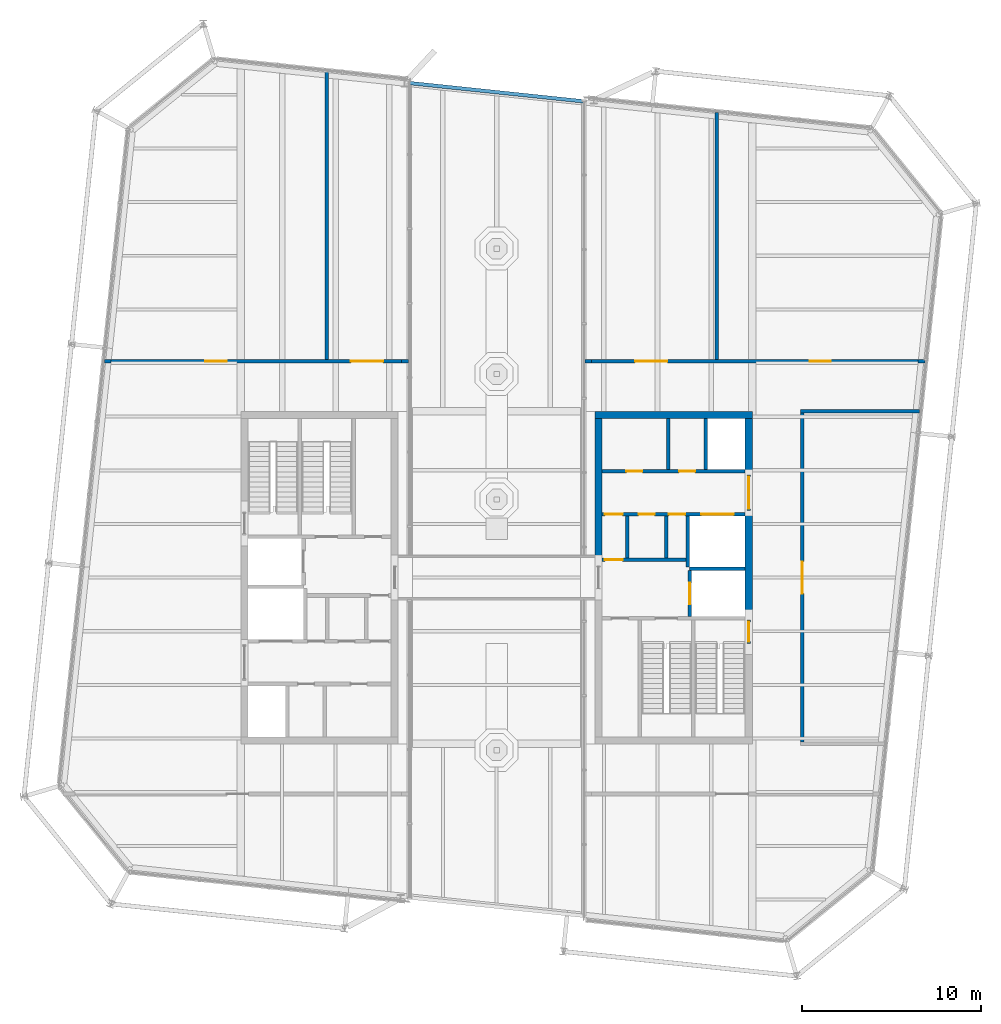
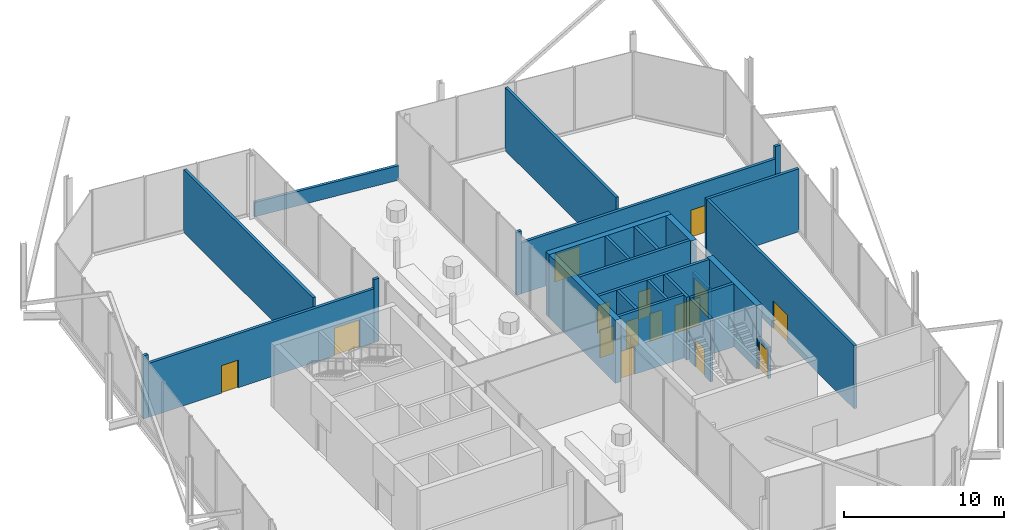
# One storey, part 11 of 14: 27 walls, 15 doors, 15 openings.
"""IFC4 building model written with IfcOpenShell, lengths in metres."""

from ifc_helpers import new_model, si_unit, direction, frame, frame_2d, origin, place, context, subcontext, project, spatial, rectangle, extrude, material, layer, layer_set, type_object, element, fill, save


model = new_model("IFC4")

# Units and contexts
model_context = context("Model", 3, precision=1e-05, world=origin(), true_north=direction((0.0, 1.0)))
body_context = subcontext(model_context, "Body", "Model", "MODEL_VIEW")
ifc_project = project(units=[si_unit("LENGTHUNIT", "METRE"), si_unit("AREAUNIT", "SQUARE_METRE"), si_unit("VOLUMEUNIT", "CUBIC_METRE"), si_unit("PLANEANGLEUNIT", "RADIAN"), si_unit("MASSUNIT", "GRAM", prefix="KILO")], contexts=[model_context])

# Site, building, storey
site_placement = place(None, origin())
site = spatial("IfcSite", under=ifc_project, at=site_placement, CompositionType="ELEMENT")
building_placement = place(site_placement, origin())
building = spatial("IfcBuilding", under=site, at=building_placement, Name="Millrace Tower", CompositionType="ELEMENT")
storey_placement = place(building_placement, frame((0.0, 0.0, 342.10009765625)))
storey = spatial("IfcBuildingStorey", under=building, at=storey_placement, Name="L79", CompositionType="ELEMENT", Elevation=342.10009765625)

# Walls
ifc_material_1 = material(Name="Concrete C60", Category="concrete")
ifc_layer_1 = layer(ifc_material_1, 0.39990234375)
ifc_layer_set_1 = layer_set([ifc_layer_1], Name="Concrete C60")
wall_type_1 = type_object("IfcWallType", Name="Core wall 400 Concrete C60", PredefinedType="SHEAR", material=ifc_layer_set_1)
wall_1_placement = place(storey_placement, frame((14.300048828125, 9.10009765625, 0.0), z_axis=(0.0, 0.0, 1.0), x_axis=(-1.0, 0.0, 0.0)))
element("IfcWall", 1, at=wall_1_placement, inside=storey, type_object=wall_type_1, Name="Core wall E L79", PredefinedType="SHEAR", context=body_context, shape_type="SweptSolid", body=[
    extrude(rectangle(XDim=8.800048828125, YDim=0.39990234375, at=frame_2d((4.39990234375, 0.0))), origin(), (0.0, 0.0, 1.0), 4.7998046875),
])
wall_2_placement = place(storey_placement, frame((14.10009765625, 8.89990234375, 0.0), z_axis=(0.0, 0.0, 1.0), x_axis=(0.0, -1.0, 0.0)))
element("IfcWall", 2, at=wall_2_placement, inside=storey, type_object=wall_type_1, Name="Core wall E L79", PredefinedType="SHEAR", context=body_context, shape_type="SweptSolid", body=[
    extrude(rectangle(XDim=3.14990234375, YDim=0.39990234375, at=frame_2d((1.574951171875, 0.0))), origin(), (0.0, 0.0, 1.0), 4.7998046875),
])
wall_3_placement = place(storey_placement, frame((14.10009765625, 3.75, 0.0), z_axis=(0.0, 0.0, 1.0), x_axis=(0.0, -1.0, 0.0)))
element("IfcWall", 3, at=wall_3_placement, inside=storey, type_object=wall_type_1, Name="Core wall E L79", PredefinedType="SHEAR", context=body_context, shape_type="SweptSolid", body=[
    extrude(rectangle(XDim=6.1298828125, YDim=0.39990234375, at=frame_2d((3.06494140625, 0.0))), origin(), (0.0, 0.0, 1.0), 4.7998046875),
])
wall_4_placement = place(storey_placement, frame((5.699951171875, 8.89990234375, 0.0), z_axis=(0.0, 0.0, 1.0), x_axis=(0.0, -1.0, 0.0)))
element("IfcWall", 4, at=wall_4_placement, inside=storey, type_object=wall_type_1, Name="Core wall E L79", PredefinedType="SHEAR", context=body_context, shape_type="SweptSolid", body=[
    extrude(rectangle(XDim=8.25, YDim=0.39990234375, at=frame_2d((4.125, 0.0))), origin(), (0.0, 0.0, 1.0), 4.7998046875),
])
ifc_material_2 = material(Name="Masonry partition, fire-rated", Category="masonry")
ifc_layer_2 = layer(ifc_material_2, 0.199951171875)
ifc_layer_set_2 = layer_set([ifc_layer_2], Name="Masonry partition, fire-rated")
wall_type_2 = type_object("IfcWallType", Name="Corridor wall 200", PredefinedType="PARTITIONING", material=ifc_layer_set_2)
wall_5_placement = place(storey_placement, frame((17.0, 9.300048828125, 0.0), z_axis=(0.0, 0.0, 1.0), x_axis=(1.0, 0.0, 0.0)))
element("IfcWall", 5, at=wall_5_placement, inside=storey, type_object=wall_type_2, Name="Corridor wall L79", PredefinedType="PARTITIONING", context=body_context, shape_type="SweptSolid", body=[
    extrude(rectangle(XDim=6.656005859375, YDim=0.199951171875, at=frame_2d((3.328125, 0.0))), origin(), (0.0, 0.0, 1.0), 4.7998046875),
])
wall_6_placement = place(storey_placement, frame((-21.921142578125, 12.10009765625, 0.0), z_axis=(0.0, 0.0, 1.0), x_axis=(1.0, 0.0, 0.0)))
element("IfcWall", 6, at=wall_6_placement, inside=storey, type_object=wall_type_2, Name="Corridor wall L79", PredefinedType="PARTITIONING", context=body_context, shape_type="SweptSolid", body=[
    extrude(rectangle(XDim=0.35888671875, YDim=0.199951171875, at=frame_2d((0.179443359375, 0.0))), origin(), (0.0, 0.0, 1.0), 4.7998046875),
])

# Wall, openings, doors
wall_7_placement = place(storey_placement, frame((-21.562255859375, 12.10009765625, 0.0), z_axis=(0.0, 0.0, 1.0), x_axis=(1.0, 0.0, 0.0)))
wall_7 = element("IfcWall", 7, at=wall_7_placement, inside=storey, type_object=wall_type_2, Name="Corridor wall L79", PredefinedType="PARTITIONING", context=body_context, shape_type="SweptSolid", body=[
    extrude(rectangle(XDim=16.2548828125, YDim=0.199951171875, at=frame_2d((8.12744140625, 0.0))), origin(), (0.0, 0.0, 1.0), 4.1064453125),
])
opening_1_placement = place(wall_7_placement, frame((5.27685546875, 0.0, 0.0)))
opening_1 = element("IfcOpeningElement", 8, at=opening_1_placement, cuts=wall_7, Name="Opening 79-P001", PredefinedType="OPENING", context=body_context, shape_type="SweptSolid", body=[
    extrude(rectangle(XDim=1.199951171875, YDim=2.10009765625, at=frame_2d((0.60009765625, 1.050048828125))), frame((0.0, 0.10986328125, 0.0), z_axis=(0.0, -1.0, 0.0), x_axis=(1.0, 0.0, 0.0)), (0.0, 0.0, 1.0), 0.219970703125),
])
opening_2_placement = place(wall_7_placement, frame((13.417236328125, 0.0, 0.0)))
opening_2 = element("IfcOpeningElement", 9, at=opening_2_placement, cuts=wall_7, Name="Opening 79-P002", PredefinedType="OPENING", context=body_context, shape_type="SweptSolid", body=[
    extrude(rectangle(XDim=1.800048828125, YDim=2.10009765625, at=frame_2d((0.89990234375, 1.050048828125))), frame((0.0, 0.10986328125, 0.0), z_axis=(0.0, -1.0, 0.0), x_axis=(1.0, 0.0, 0.0)), (0.0, 0.0, 1.0), 0.219970703125),
])
ifc_material_3 = material(Name="Steel door set, fire-rated", Category="steel")
door_type_1 = type_object("IfcDoorType", Name="Corridor door 1800 x 2100", OperationType="DOUBLE_DOOR_SINGLE_SWING", PredefinedType="DOOR", material=ifc_material_3)
door_1_placement = place(opening_2_placement, origin())
door_1 = element("IfcDoor", 10, at=door_1_placement, inside=storey, type_object=door_type_1, Name="Door 79-P002", OperationType="DOUBLE_DOOR_SINGLE_SWING", OverallHeight=2.10009765625, OverallWidth=1.800048828125, PredefinedType="DOOR", context=body_context, shape_type="SweptSolid", body=[
    extrude(rectangle(XDim=1.800048828125, YDim=2.10009765625, at=frame_2d((0.89990234375, 1.050048828125))), frame((0.0, 0.02490234375, 0.0), z_axis=(0.0, -1.0, 0.0), x_axis=(1.0, 0.0, 0.0)), (0.0, 0.0, 1.0), 0.050048828125),
])
fill(opening_2, door_1)
ifc_material_4 = material(Name="Steel door set, fire-rated", Category="steel")
door_type_2 = type_object("IfcDoorType", Name="Plant room door 1200 x 2100", OperationType="SINGLE_SWING_LEFT", PredefinedType="DOOR", material=ifc_material_4)
door_2_placement = place(opening_1_placement, origin())
door_2 = element("IfcDoor", 11, at=door_2_placement, inside=storey, type_object=door_type_2, Name="Door 79-P001", OperationType="SINGLE_SWING_LEFT", OverallHeight=2.10009765625, OverallWidth=1.199951171875, PredefinedType="DOOR", context=body_context, shape_type="SweptSolid", body=[
    extrude(rectangle(XDim=1.199951171875, YDim=2.10009765625, at=frame_2d((0.60009765625, 1.050048828125))), frame((0.0, 0.02490234375, 0.0), z_axis=(0.0, -1.0, 0.0), x_axis=(1.0, 0.0, 0.0)), (0.0, 0.0, 1.0), 0.050048828125),
])
fill(opening_1, door_2)

# Walls
for number, where, z_axis, x_axis, name in (
    (12, (-5.307373046875, 12.10009765625, 0.0), (0.0, 0.0, 1.0), (1.0, 0.0, 0.0), "Corridor wall L79"),
    (13, (4.93994140625, 12.10009765625, 0.0), (0.0, 0.0, 1.0), (1.0, 0.0, 0.0), "Corridor wall L79"),
):
    element("IfcWall", number, at=place(storey_placement, frame(where, z_axis=z_axis, x_axis=x_axis)), inside=storey, type_object=wall_type_2, Name=name, PredefinedType="PARTITIONING", context=body_context, shape_type="SweptSolid", body=[
        extrude(rectangle(XDim=0.367431640625, YDim=0.199951171875, at=frame_2d((0.18359375, 0.0))), origin(), (0.0, 0.0, 1.0), 4.7998046875),
    ])

# Wall, openings, doors
wall_8_placement = place(storey_placement, frame((5.307373046875, 12.10009765625, 0.0), z_axis=(0.0, 0.0, 1.0), x_axis=(1.0, 0.0, 0.0)))
wall_8 = element("IfcWall", 14, at=wall_8_placement, inside=storey, type_object=wall_type_2, Name="Corridor wall L79", PredefinedType="PARTITIONING", context=body_context, shape_type="SweptSolid", body=[
    extrude(rectangle(XDim=18.262939453125, YDim=0.199951171875, at=frame_2d((9.13134765625, 0.0))), origin(), (0.0, 0.0, 1.0), 3.872802734375),
])
opening_3_placement = place(wall_8_placement, frame((2.437744140625, 0.0, 0.0)))
opening_3 = element("IfcOpeningElement", 15, at=opening_3_placement, cuts=wall_8, Name="Opening 79-P004", PredefinedType="OPENING", context=body_context, shape_type="SweptSolid", body=[
    extrude(rectangle(XDim=1.800048828125, YDim=2.10009765625, at=frame_2d((0.89990234375, 1.050048828125))), frame((0.0, 0.10986328125, 0.0), z_axis=(0.0, -1.0, 0.0), x_axis=(1.0, 0.0, 0.0)), (0.0, 0.0, 1.0), 0.219970703125),
])
opening_4_placement = place(wall_8_placement, frame((12.192626953125, 0.0, 0.0)))
opening_4 = element("IfcOpeningElement", 16, at=opening_4_placement, cuts=wall_8, Name="Opening 79-P005", PredefinedType="OPENING", context=body_context, shape_type="SweptSolid", body=[
    extrude(rectangle(XDim=1.199951171875, YDim=2.10009765625, at=frame_2d((0.60009765625, 1.050048828125))), frame((0.0, 0.10986328125, 0.0), z_axis=(0.0, -1.0, 0.0), x_axis=(1.0, 0.0, 0.0)), (0.0, 0.0, 1.0), 0.219970703125),
])
door_3_placement = place(opening_4_placement, origin())
door_3 = element("IfcDoor", 17, at=door_3_placement, inside=storey, type_object=door_type_2, Name="Door 79-P005", OperationType="SINGLE_SWING_RIGHT", OverallHeight=2.10009765625, OverallWidth=1.199951171875, PredefinedType="DOOR", context=body_context, shape_type="SweptSolid", body=[
    extrude(rectangle(XDim=1.199951171875, YDim=2.10009765625, at=frame_2d((0.60009765625, 1.050048828125))), frame((0.0, 0.02490234375, 0.0), z_axis=(0.0, -1.0, 0.0), x_axis=(1.0, 0.0, 0.0)), (0.0, 0.0, 1.0), 0.050048828125),
])
fill(opening_4, door_3)
ifc_material_5 = material(Name="Steel door set, fire-rated", Category="steel")
door_type_3 = type_object("IfcDoorType", Name="Plant room door 1800 x 2100", OperationType="DOUBLE_DOOR_SINGLE_SWING", PredefinedType="DOOR", material=ifc_material_5)
door_4_placement = place(opening_3_placement, origin())
door_4 = element("IfcDoor", 18, at=door_4_placement, inside=storey, type_object=door_type_3, Name="Door 79-P004", OperationType="DOUBLE_DOOR_SINGLE_SWING", OverallHeight=2.10009765625, OverallWidth=1.800048828125, PredefinedType="DOOR", context=body_context, shape_type="SweptSolid", body=[
    extrude(rectangle(XDim=1.800048828125, YDim=2.10009765625, at=frame_2d((0.89990234375, 1.050048828125))), frame((0.0, 0.02490234375, 0.0), z_axis=(0.0, -1.0, 0.0), x_axis=(1.0, 0.0, 0.0)), (0.0, 0.0, 1.0), 0.050048828125),
])
fill(opening_3, door_4)

# Wall
wall_9_placement = place(storey_placement, frame((23.5703125, 12.10009765625, 0.0), z_axis=(0.0, 0.0, 1.0), x_axis=(1.0, 0.0, 0.0)))
element("IfcWall", 19, at=wall_9_placement, inside=storey, type_object=wall_type_2, Name="Corridor wall L79", PredefinedType="PARTITIONING", context=body_context, shape_type="SweptSolid", body=[
    extrude(rectangle(XDim=0.3798828125, YDim=0.199951171875, at=frame_2d((0.18994140625, 0.0))), origin(), (0.0, 0.0, 1.0), 4.7998046875),
])

# Wall, opening, door
wall_10_placement = place(storey_placement, frame((17.10009765625, -9.199951171875, 0.0), z_axis=(0.0, 0.0, 1.0), x_axis=(0.0, 1.0, 0.0)))
wall_10 = element("IfcWall", 20, at=wall_10_placement, inside=storey, type_object=wall_type_2, Name="Corridor wall L79", PredefinedType="PARTITIONING", context=body_context, shape_type="SweptSolid", body=[
    extrude(rectangle(XDim=18.39990234375, YDim=0.199951171875, at=frame_2d((9.199951171875, 0.0))), origin(), (0.0, 0.0, 1.0), 4.7998046875),
])
opening_5_placement = place(wall_10_placement, frame((8.300048828125, 0.0, 0.0)))
opening_5 = element("IfcOpeningElement", 21, at=opening_5_placement, cuts=wall_10, Name="Opening 79-P006", PredefinedType="OPENING", context=body_context, shape_type="SweptSolid", body=[
    extrude(rectangle(XDim=1.800048828125, YDim=2.10009765625, at=frame_2d((0.89990234375, 1.050048828125))), frame((0.0, 0.10986328125, 0.0), z_axis=(0.0, -1.0, 0.0), x_axis=(1.0, 0.0, 0.0)), (0.0, 0.0, 1.0), 0.219970703125),
])
door_5_placement = place(opening_5_placement, frame((1.800048828125, 0.0, 0.0), z_axis=(0.0, 0.0, 1.0), x_axis=(-1.0, 0.0, 0.0)))
door_5 = element("IfcDoor", 22, at=door_5_placement, inside=storey, type_object=door_type_3, Name="Door 79-P006", OperationType="DOUBLE_DOOR_SINGLE_SWING", OverallHeight=2.10009765625, OverallWidth=1.800048828125, PredefinedType="DOOR", context=body_context, shape_type="SweptSolid", body=[
    extrude(rectangle(XDim=1.800048828125, YDim=2.10009765625, at=frame_2d((0.89990234375, 1.050048828125))), frame((0.0, 0.02490234375, 0.0), z_axis=(0.0, -1.0, 0.0), x_axis=(1.0, 0.0, 0.0)), (0.0, 0.0, 1.0), 0.050048828125),
])
fill(opening_5, door_5)

# Walls
wall_11_placement = place(storey_placement, frame((12.300048828125, 12.199951171875, 0.0), z_axis=(0.0, 0.0, 1.0), x_axis=(0.0, 1.0, 0.0)))
element("IfcWall", 23, at=wall_11_placement, inside=storey, type_object=wall_type_2, Name="Corridor wall L79", PredefinedType="PARTITIONING", context=body_context, shape_type="SweptSolid", body=[
    extrude(rectangle(XDim=13.81396484375, YDim=0.199951171875, at=frame_2d((6.906982421875, 0.0))), origin(), (0.0, 0.0, 1.0), 4.7998046875),
])
wall_12_placement = place(storey_placement, frame((-9.5, 12.199951171875, 0.0), z_axis=(0.0, 0.0, 1.0), x_axis=(0.0, 1.0, 0.0)))
element("IfcWall", 24, at=wall_12_placement, inside=storey, type_object=wall_type_2, Name="Corridor wall L79", PredefinedType="PARTITIONING", context=body_context, shape_type="SweptSolid", body=[
    extrude(rectangle(XDim=16.105224609375, YDim=0.199951171875, at=frame_2d((8.052734375, 0.0))), origin(), (0.0, 0.0, 1.0), 4.7998046875),
])

# Wall, openings, doors
ifc_material_6 = material(Name="Masonry partition, fire-rated", Category="masonry")
ifc_layer_3 = layer(ifc_material_6, 0.199951171875)
ifc_layer_set_3 = layer_set([ifc_layer_3], Name="Masonry partition, fire-rated")
wall_type_3 = type_object("IfcWallType", Name="Lift shaft wall 200", PredefinedType="PARTITIONING", material=ifc_layer_set_3)
wall_13_placement = place(storey_placement, frame((13.89990234375, 5.949951171875, 0.0), z_axis=(0.0, 0.0, 1.0), x_axis=(-1.0, 0.0, 0.0)))
wall_13 = element("IfcWall", 25, at=wall_13_placement, inside=storey, type_object=wall_type_3, Name="Lift shaft wall E L79", PredefinedType="PARTITIONING", context=body_context, shape_type="SweptSolid", body=[
    extrude(rectangle(XDim=8.0, YDim=0.199951171875, at=frame_2d((4.0, 0.0))), origin(), (0.0, 0.0, 1.0), 4.7998046875),
])
opening_6_placement = place(wall_13_placement, frame((2.797607421875, 0.0, 0.0)))
opening_6 = element("IfcOpeningElement", 26, at=opening_6_placement, cuts=wall_13, Name="Opening 79-C015", PredefinedType="OPENING", context=body_context, shape_type="SweptSolid", body=[
    extrude(rectangle(XDim=0.89990234375, YDim=2.10009765625, at=frame_2d((0.449951171875, 1.050048828125))), frame((0.0, 0.10986328125, 0.0), z_axis=(0.0, -1.0, 0.0), x_axis=(1.0, 0.0, 0.0)), (0.0, 0.0, 1.0), 0.219970703125),
])
opening_7_placement = place(wall_13_placement, frame((5.74755859375, 0.0, 0.0)))
opening_7 = element("IfcOpeningElement", 27, at=opening_7_placement, cuts=wall_13, Name="Opening 79-C016", PredefinedType="OPENING", context=body_context, shape_type="SweptSolid", body=[
    extrude(rectangle(XDim=0.89990234375, YDim=2.10009765625, at=frame_2d((0.449951171875, 1.050048828125))), frame((0.0, 0.10986328125, 0.0), z_axis=(0.0, -1.0, 0.0), x_axis=(1.0, 0.0, 0.0)), (0.0, 0.0, 1.0), 0.219970703125),
])
ifc_material_7 = material(Name="Steel door, fire-rated", Category="steel")
door_type_4 = type_object("IfcDoorType", Name="Service room door 900 x 2100", OperationType="SINGLE_SWING_LEFT", PredefinedType="DOOR", material=ifc_material_7)
door_6_placement = place(opening_6_placement, frame((0.89990234375, 0.0, 0.0), z_axis=(0.0, 0.0, 1.0), x_axis=(-1.0, 0.0, 0.0)))
door_6 = element("IfcDoor", 28, at=door_6_placement, inside=storey, type_object=door_type_4, Name="Service room door 79-C015", OperationType="SINGLE_SWING_RIGHT", OverallHeight=2.10009765625, OverallWidth=0.89990234375, PredefinedType="DOOR", context=body_context, shape_type="SweptSolid", body=[
    extrude(rectangle(XDim=0.89990234375, YDim=2.10009765625, at=frame_2d((0.449951171875, 1.050048828125))), frame((0.0, 0.02490234375, 0.0), z_axis=(0.0, -1.0, 0.0), x_axis=(1.0, 0.0, 0.0)), (0.0, 0.0, 1.0), 0.050048828125),
])
fill(opening_6, door_6)
door_7_placement = place(opening_7_placement, frame((0.89990234375, 0.0, 0.0), z_axis=(0.0, 0.0, 1.0), x_axis=(-1.0, 0.0, 0.0)))
door_7 = element("IfcDoor", 29, at=door_7_placement, inside=storey, type_object=door_type_4, Name="Service room door 79-C016", OperationType="SINGLE_SWING_LEFT", OverallHeight=2.10009765625, OverallWidth=0.89990234375, PredefinedType="DOOR", context=body_context, shape_type="SweptSolid", body=[
    extrude(rectangle(XDim=0.89990234375, YDim=2.10009765625, at=frame_2d((0.449951171875, 1.050048828125))), frame((0.0, 0.02490234375, 0.0), z_axis=(0.0, -1.0, 0.0), x_axis=(1.0, 0.0, 0.0)), (0.0, 0.0, 1.0), 0.050048828125),
])
fill(opening_7, door_7)

wall_14_placement = place(storey_placement, frame((13.89990234375, 3.550048828125, 0.0), z_axis=(0.0, 0.0, 1.0), x_axis=(-1.0, 0.0, 0.0)))
wall_14 = element("IfcWall", 30, at=wall_14_placement, inside=storey, type_object=wall_type_3, Name="Lift shaft wall E L79", PredefinedType="PARTITIONING", context=body_context, shape_type="SweptSolid", body=[
    extrude(rectangle(XDim=8.0, YDim=0.199951171875, at=frame_2d((4.0, 0.0))), origin(), (0.0, 0.0, 1.0), 4.7998046875),
])
opening_8_placement = place(wall_14_placement, frame((0.64990234375, 0.0, 0.0)))
opening_8 = element("IfcOpeningElement", 31, at=opening_8_placement, cuts=wall_14, Name="Opening 79-LD13", PredefinedType="OPENING", context=body_context, shape_type="SweptSolid", body=[
    extrude(rectangle(XDim=1.800048828125, YDim=2.10009765625, at=frame_2d((0.89990234375, 1.050048828125))), frame((0.0, 0.10986328125, 0.0), z_axis=(0.0, -1.0, 0.0), x_axis=(1.0, 0.0, 0.0)), (0.0, 0.0, 1.0), 0.219970703125),
])
opening_9_placement = place(wall_14_placement, frame((3.360107421875, 0.0, 0.0)))
opening_9 = element("IfcOpeningElement", 32, at=opening_9_placement, cuts=wall_14, Name="Opening 79-C017", PredefinedType="OPENING", context=body_context, shape_type="SweptSolid", body=[
    extrude(rectangle(XDim=0.89990234375, YDim=2.10009765625, at=frame_2d((0.449951171875, 1.050048828125))), frame((0.0, 0.10986328125, 0.0), z_axis=(0.0, -1.0, 0.0), x_axis=(1.0, 0.0, 0.0)), (0.0, 0.0, 1.0), 0.219970703125),
])
opening_10_placement = place(wall_14_placement, frame((5.06005859375, 0.0, 0.0)))
opening_10 = element("IfcOpeningElement", 33, at=opening_10_placement, cuts=wall_14, Name="Opening 79-C018", PredefinedType="OPENING", context=body_context, shape_type="SweptSolid", body=[
    extrude(rectangle(XDim=0.89990234375, YDim=2.10009765625, at=frame_2d((0.449951171875, 1.050048828125))), frame((0.0, 0.10986328125, 0.0), z_axis=(0.0, -1.0, 0.0), x_axis=(1.0, 0.0, 0.0)), (0.0, 0.0, 1.0), 0.219970703125),
])
opening_11_placement = place(wall_14_placement, frame((6.85009765625, 0.0, 0.0)))
opening_11 = element("IfcOpeningElement", 34, at=opening_11_placement, cuts=wall_14, Name="Opening 79-C019", PredefinedType="OPENING", context=body_context, shape_type="SweptSolid", body=[
    extrude(rectangle(XDim=1.0, YDim=2.10009765625, at=frame_2d((0.5, 1.050048828125))), frame((0.0, 0.10986328125, 0.0), z_axis=(0.0, -1.0, 0.0), x_axis=(1.0, 0.0, 0.0)), (0.0, 0.0, 1.0), 0.219970703125),
])
ifc_material_8 = material(Name="Stainless steel, fire-rated", Category="steel")
door_type_5 = type_object("IfcDoorType", Name="Lift landing door 1800 x 2100", OperationType="DOUBLE_DOOR_SLIDING", PredefinedType="DOOR", material=ifc_material_8)
door_8_placement = place(opening_8_placement, origin())
door_8 = element("IfcDoor", 35, at=door_8_placement, inside=storey, type_object=door_type_5, Name="Lift landing door LF13 L79", OperationType="DOUBLE_DOOR_SLIDING", OverallHeight=2.10009765625, OverallWidth=1.800048828125, PredefinedType="DOOR", context=body_context, shape_type="SweptSolid", body=[
    extrude(rectangle(XDim=1.800048828125, YDim=2.10009765625, at=frame_2d((0.89990234375, 1.050048828125))), frame((0.0, 0.02490234375, 0.0), z_axis=(0.0, -1.0, 0.0), x_axis=(1.0, 0.0, 0.0)), (0.0, 0.0, 1.0), 0.050048828125),
])
fill(opening_8, door_8)
ifc_material_9 = material(Name="Steel door, fire-rated", Category="steel")
door_type_6 = type_object("IfcDoorType", Name="Lobby door 1000 x 2100", OperationType="SINGLE_SWING_LEFT", PredefinedType="DOOR", material=ifc_material_9)
door_9_placement = place(opening_11_placement, origin())
door_9 = element("IfcDoor", 36, at=door_9_placement, inside=storey, type_object=door_type_6, Name="Lobby door 79-C019", OperationType="SINGLE_SWING_LEFT", OverallHeight=2.10009765625, OverallWidth=1.0, PredefinedType="DOOR", context=body_context, shape_type="SweptSolid", body=[
    extrude(rectangle(XDim=1.0, YDim=2.10009765625, at=frame_2d((0.5, 1.050048828125))), frame((0.0, 0.02490234375, 0.0), z_axis=(0.0, -1.0, 0.0), x_axis=(1.0, 0.0, 0.0)), (0.0, 0.0, 1.0), 0.050048828125),
])
fill(opening_11, door_9)
door_10_placement = place(opening_9_placement, origin())
door_10 = element("IfcDoor", 37, at=door_10_placement, inside=storey, type_object=door_type_4, Name="Service room door 79-C017", OperationType="SINGLE_SWING_LEFT", OverallHeight=2.10009765625, OverallWidth=0.89990234375, PredefinedType="DOOR", context=body_context, shape_type="SweptSolid", body=[
    extrude(rectangle(XDim=0.89990234375, YDim=2.10009765625, at=frame_2d((0.449951171875, 1.050048828125))), frame((0.0, 0.02490234375, 0.0), z_axis=(0.0, -1.0, 0.0), x_axis=(1.0, 0.0, 0.0)), (0.0, 0.0, 1.0), 0.050048828125),
])
fill(opening_9, door_10)
door_11_placement = place(opening_10_placement, origin())
door_11 = element("IfcDoor", 38, at=door_11_placement, inside=storey, type_object=door_type_4, Name="Service room door 79-C018", OperationType="SINGLE_SWING_RIGHT", OverallHeight=2.10009765625, OverallWidth=0.89990234375, PredefinedType="DOOR", context=body_context, shape_type="SweptSolid", body=[
    extrude(rectangle(XDim=0.89990234375, YDim=2.10009765625, at=frame_2d((0.449951171875, 1.050048828125))), frame((0.0, 0.02490234375, 0.0), z_axis=(0.0, -1.0, 0.0), x_axis=(1.0, 0.0, 0.0)), (0.0, 0.0, 1.0), 0.050048828125),
])
fill(opening_10, door_11)

# Wall
wall_15_placement = place(storey_placement, frame((13.89990234375, 0.5, 0.0), z_axis=(0.0, 0.0, 1.0), x_axis=(-1.0, 0.0, 0.0)))
element("IfcWall", 39, at=wall_15_placement, inside=storey, type_object=wall_type_3, Name="Lift shaft wall E L79", PredefinedType="PARTITIONING", context=body_context, shape_type="SweptSolid", body=[
    extrude(rectangle(XDim=3.099853515625, YDim=0.199951171875, at=frame_2d((1.5498046875, 0.0))), origin(), (0.0, 0.0, 1.0), 4.7998046875),
])

# Wall, opening, door
wall_16_placement = place(storey_placement, frame((10.800048828125, 1.0, 0.0), z_axis=(0.0, 0.0, 1.0), x_axis=(-1.0, 0.0, 0.0)))
wall_16 = element("IfcWall", 40, at=wall_16_placement, inside=storey, type_object=wall_type_3, Name="Lift shaft wall E L79", PredefinedType="PARTITIONING", context=body_context, shape_type="SweptSolid", body=[
    extrude(rectangle(XDim=4.900146484375, YDim=0.199951171875, at=frame_2d((2.4501953125, 0.0))), origin(), (0.0, 0.0, 1.0), 4.7998046875),
])
opening_12_placement = place(wall_16_placement, frame((3.75, 0.0, 0.0)))
opening_12 = element("IfcOpeningElement", 41, at=opening_12_placement, cuts=wall_16, Name="Opening 79-C020", PredefinedType="OPENING", context=body_context, shape_type="SweptSolid", body=[
    extrude(rectangle(XDim=1.0, YDim=2.10009765625, at=frame_2d((0.5, 1.050048828125))), frame((0.0, 0.10986328125, 0.0), z_axis=(0.0, -1.0, 0.0), x_axis=(1.0, 0.0, 0.0)), (0.0, 0.0, 1.0), 0.219970703125),
])
door_12_placement = place(opening_12_placement, origin())
door_12 = element("IfcDoor", 42, at=door_12_placement, inside=storey, type_object=door_type_6, Name="Lobby door 79-C020", OperationType="SINGLE_SWING_LEFT", OverallHeight=2.10009765625, OverallWidth=1.0, PredefinedType="DOOR", context=body_context, shape_type="SweptSolid", body=[
    extrude(rectangle(XDim=1.0, YDim=2.10009765625, at=frame_2d((0.5, 1.050048828125))), frame((0.0, 0.02490234375, 0.0), z_axis=(0.0, -1.0, 0.0), x_axis=(1.0, 0.0, 0.0)), (0.0, 0.0, 1.0), 0.050048828125),
])
fill(opening_12, door_12)

wall_17_placement = place(storey_placement, frame((10.800048828125, 0.39990234375, 0.0), z_axis=(0.0, 0.0, 1.0), x_axis=(0.0, -1.0, 0.0)))
wall_17 = element("IfcWall", 43, at=wall_17_placement, inside=storey, type_object=wall_type_3, Name="Lift shaft wall E L79", PredefinedType="PARTITIONING", context=body_context, shape_type="SweptSolid", body=[
    extrude(rectangle(XDim=2.579833984375, YDim=0.199951171875, at=frame_2d((1.2900390625, 0.0))), origin(), (0.0, 0.0, 1.0), 4.7998046875),
])
opening_13_placement = place(wall_17_placement, frame((0.68994140625, 0.0, 0.0)))
opening_13 = element("IfcOpeningElement", 44, at=opening_13_placement, cuts=wall_17, Name="Opening 79-LD16", PredefinedType="OPENING", context=body_context, shape_type="SweptSolid", body=[
    extrude(rectangle(XDim=1.199951171875, YDim=2.10009765625, at=frame_2d((0.60009765625, 1.050048828125))), frame((0.0, 0.10986328125, 0.0), z_axis=(0.0, -1.0, 0.0), x_axis=(1.0, 0.0, 0.0)), (0.0, 0.0, 1.0), 0.219970703125),
])
ifc_material_10 = material(Name="Stainless steel, fire-rated", Category="steel")
door_type_7 = type_object("IfcDoorType", Name="Lift landing door 1200 x 2100", OperationType="DOUBLE_DOOR_SLIDING", PredefinedType="DOOR", material=ifc_material_10)
door_13_placement = place(opening_13_placement, origin())
door_13 = element("IfcDoor", 45, at=door_13_placement, inside=storey, type_object=door_type_7, Name="Lift landing door LF16 L79", OperationType="DOUBLE_DOOR_SLIDING", OverallHeight=2.10009765625, OverallWidth=1.199951171875, PredefinedType="DOOR", context=body_context, shape_type="SweptSolid", body=[
    extrude(rectangle(XDim=1.199951171875, YDim=2.10009765625, at=frame_2d((0.60009765625, 1.050048828125))), frame((0.0, 0.02490234375, 0.0), z_axis=(0.0, -1.0, 0.0), x_axis=(1.0, 0.0, 0.0)), (0.0, 0.0, 1.0), 0.050048828125),
])
fill(opening_13, door_13)

# Walls
for number, where, z_axis, x_axis, name in (
    (46, (11.699951171875, 8.89990234375, 0.0), (0.0, 0.0, 1.0), (0.0, -1.0, 0.0), "Lift shaft wall E L79"),
    (47, (10.699951171875, 3.449951171875, 0.0), (0.0, 0.0, 1.0), (0.0, -1.0, 0.0), "Lift shaft wall E L79"),
):
    element("IfcWall", number, at=place(storey_placement, frame(where, z_axis=z_axis, x_axis=x_axis)), inside=storey, type_object=wall_type_3, Name=name, PredefinedType="PARTITIONING", context=body_context, shape_type="SweptSolid", body=[
        extrude(rectangle(XDim=2.849853515625, YDim=0.199951171875, at=frame_2d((1.4248046875, 0.0))), origin(), (0.0, 0.0, 1.0), 4.7998046875),
    ])
wall_18_placement = place(storey_placement, frame((7.300048828125, 3.449951171875, 0.0), z_axis=(0.0, 0.0, 1.0), x_axis=(0.0, -1.0, 0.0)))
element("IfcWall", 48, at=wall_18_placement, inside=storey, type_object=wall_type_3, Name="Lift shaft wall E L79", PredefinedType="PARTITIONING", context=body_context, shape_type="SweptSolid", body=[
    extrude(rectangle(XDim=2.349853515625, YDim=0.199951171875, at=frame_2d((1.1748046875, 0.0))), origin(), (0.0, 0.0, 1.0), 4.7998046875),
])

# Wall, opening, door
ifc_material_11 = material(Name="Masonry partition, fire-rated", Category="masonry")
ifc_layer_4 = layer(ifc_material_11, 0.199951171875)
ifc_layer_set_4 = layer_set([ifc_layer_4], Name="Masonry partition, fire-rated")
wall_type_4 = type_object("IfcWallType", Name="Lobby wall 200", PredefinedType="PARTITIONING", material=ifc_layer_set_4)
wall_19_placement = place(storey_placement, frame((14.10009765625, 5.75, 0.0), z_axis=(0.0, 0.0, 1.0), x_axis=(0.0, -1.0, 0.0)))
wall_19 = element("IfcWall", 49, at=wall_19_placement, inside=storey, type_object=wall_type_4, Name="Lobby wall E L79", PredefinedType="PARTITIONING", context=body_context, shape_type="SweptSolid", body=[
    extrude(rectangle(XDim=2.0, YDim=0.199951171875, at=frame_2d((1.0, 0.0))), origin(), (0.0, 0.0, 1.0), 2.39990234375),
])
opening_14_placement = place(wall_19_placement, frame((0.10009765625, 0.0, 0.0)))
opening_14 = element("IfcOpeningElement", 50, at=opening_14_placement, cuts=wall_19, Name="Opening 79-C012", PredefinedType="OPENING", context=body_context, shape_type="SweptSolid", body=[
    extrude(rectangle(XDim=1.800048828125, YDim=2.10009765625, at=frame_2d((0.89990234375, 1.050048828125))), frame((0.0, 0.10986328125, 0.0), z_axis=(0.0, -1.0, 0.0), x_axis=(1.0, 0.0, 0.0)), (0.0, 0.0, 1.0), 0.219970703125),
])
ifc_material_12 = material(Name="Steel door, fire-rated", Category="steel")
door_type_8 = type_object("IfcDoorType", Name="Lobby door 1800 x 2100", OperationType="DOUBLE_DOOR_SINGLE_SWING", PredefinedType="DOOR", material=ifc_material_12)
door_14_placement = place(opening_14_placement, origin())
door_14 = element("IfcDoor", 51, at=door_14_placement, inside=storey, type_object=door_type_8, Name="Lobby door 79-C012", OperationType="DOUBLE_DOOR_SINGLE_SWING", OverallHeight=2.10009765625, OverallWidth=1.800048828125, PredefinedType="DOOR", context=body_context, shape_type="SweptSolid", body=[
    extrude(rectangle(XDim=1.800048828125, YDim=2.10009765625, at=frame_2d((0.89990234375, 1.050048828125))), frame((0.0, 0.02490234375, 0.0), z_axis=(0.0, -1.0, 0.0), x_axis=(1.0, 0.0, 0.0)), (0.0, 0.0, 1.0), 0.050048828125),
])
fill(opening_14, door_14)

# Walls
ifc_material_13 = material(Name="Concrete C40", Category="concrete")
ifc_layer_5 = layer(ifc_material_13, 0.199951171875)
ifc_layer_set_5 = layer_set([ifc_layer_5], Name="Concrete C40")
wall_type_5 = type_object("IfcWallType", Name="Roof parapet 1100", PredefinedType="PARAPET", material=ifc_layer_set_5)
wall_20_placement = place(storey_placement, frame((4.89013671875, 26.6318359375, 0.0), z_axis=(0.0, 0.0, 1.0), x_axis=(-0.994522949977, 0.104518428844, 0.0)))
element("IfcWall", 52, at=wall_20_placement, inside=storey, type_object=wall_type_5, Name="Slot roof parapet 2", PredefinedType="PARAPET", context=body_context, shape_type="SweptSolid", body=[
    extrude(rectangle(XDim=9.85498046875, YDim=0.199951171875, at=frame_2d((4.927490234375, 0.0))), origin(), (0.0, 0.0, 1.0), 1.099853515625),
])
ifc_material_14 = material(Name="Masonry partition, fire-rated", Category="masonry")
ifc_layer_6 = layer(ifc_material_14, 0.199951171875)
ifc_layer_set_6 = layer_set([ifc_layer_6], Name="Masonry partition, fire-rated")
wall_type_6 = type_object("IfcWallType", Name="Room partition 200", PredefinedType="PARTITIONING", material=ifc_layer_set_6)
wall_21_placement = place(storey_placement, frame((9.60498046875, 8.89990234375, 0.0), z_axis=(0.0, 0.0, 1.0), x_axis=(0.0, -1.0, 0.0)))
element("IfcWall", 53, at=wall_21_placement, inside=storey, type_object=wall_type_6, Name="Room partition E L79", PredefinedType="PARTITIONING", context=body_context, shape_type="SweptSolid", body=[
    extrude(rectangle(XDim=2.849853515625, YDim=0.199951171875, at=frame_2d((1.4248046875, 0.0))), origin(), (0.0, 0.0, 1.0), 4.7998046875),
])
wall_22_placement = place(storey_placement, frame((9.47998046875, 3.449951171875, 0.0), z_axis=(0.0, 0.0, 1.0), x_axis=(0.0, -1.0, 0.0)))
element("IfcWall", 54, at=wall_22_placement, inside=storey, type_object=wall_type_6, Name="Room partition E L79", PredefinedType="PARTITIONING", context=body_context, shape_type="SweptSolid", body=[
    extrude(rectangle(XDim=2.349853515625, YDim=0.199951171875, at=frame_2d((1.1748046875, 0.0))), origin(), (0.0, 0.0, 1.0), 4.7998046875),
])

# Wall, opening, door
ifc_material_15 = material(Name="Concrete C40", Category="concrete")
ifc_layer_7 = layer(ifc_material_15, 0.199951171875)
ifc_layer_set_7 = layer_set([ifc_layer_7], Name="Concrete C40")
wall_type_7 = type_object("IfcWallType", Name="Stair enclosure wall 200 Concrete C40", PredefinedType="SHEAR", material=ifc_layer_set_7)
wall_23_placement = place(storey_placement, frame((14.10009765625, -2.3798828125, 0.0), z_axis=(0.0, 0.0, 1.0), x_axis=(0.0, -1.0, 0.0)))
wall_23 = element("IfcWall", 55, at=wall_23_placement, inside=storey, type_object=wall_type_7, Name="Stair enclosure wall E L79", PredefinedType="SHEAR", context=body_context, shape_type="SweptSolid", body=[
    extrude(rectangle(XDim=1.300048828125, YDim=0.199951171875, at=frame_2d((0.64990234375, 0.0))), origin(), (0.0, 0.0, 1.0), 2.39990234375),
])
opening_15_placement = place(wall_23_placement, frame((0.10009765625, 0.0, 0.0)))
opening_15 = element("IfcOpeningElement", 56, at=opening_15_placement, cuts=wall_23, Name="Opening 79-C013", PredefinedType="OPENING", context=body_context, shape_type="SweptSolid", body=[
    extrude(rectangle(XDim=1.10009765625, YDim=2.10009765625, at=frame_2d((0.550048828125, 1.050048828125))), frame((0.0, 0.10986328125, 0.0), z_axis=(0.0, -1.0, 0.0), x_axis=(1.0, 0.0, 0.0)), (0.0, 0.0, 1.0), 0.219970703125),
])
ifc_material_16 = material(Name="Steel door, fire-rated", Category="steel")
door_type_9 = type_object("IfcDoorType", Name="Stair door 1100 x 2100", OperationType="SINGLE_SWING_LEFT", PredefinedType="DOOR", material=ifc_material_16)
door_15_placement = place(opening_15_placement, origin())
door_15 = element("IfcDoor", 57, at=door_15_placement, inside=storey, type_object=door_type_9, Name="Stair door 79-C013", OperationType="SINGLE_SWING_LEFT", OverallHeight=2.10009765625, OverallWidth=1.10009765625, PredefinedType="DOOR", context=body_context, shape_type="SweptSolid", body=[
    extrude(rectangle(XDim=1.10009765625, YDim=2.10009765625, at=frame_2d((0.550048828125, 1.050048828125))), frame((0.0, 0.02490234375, 0.0), z_axis=(0.0, -1.0, 0.0), x_axis=(1.0, 0.0, 0.0)), (0.0, 0.0, 1.0), 0.050048828125),
])
fill(opening_15, door_15)

save(model, "model.ifc")
